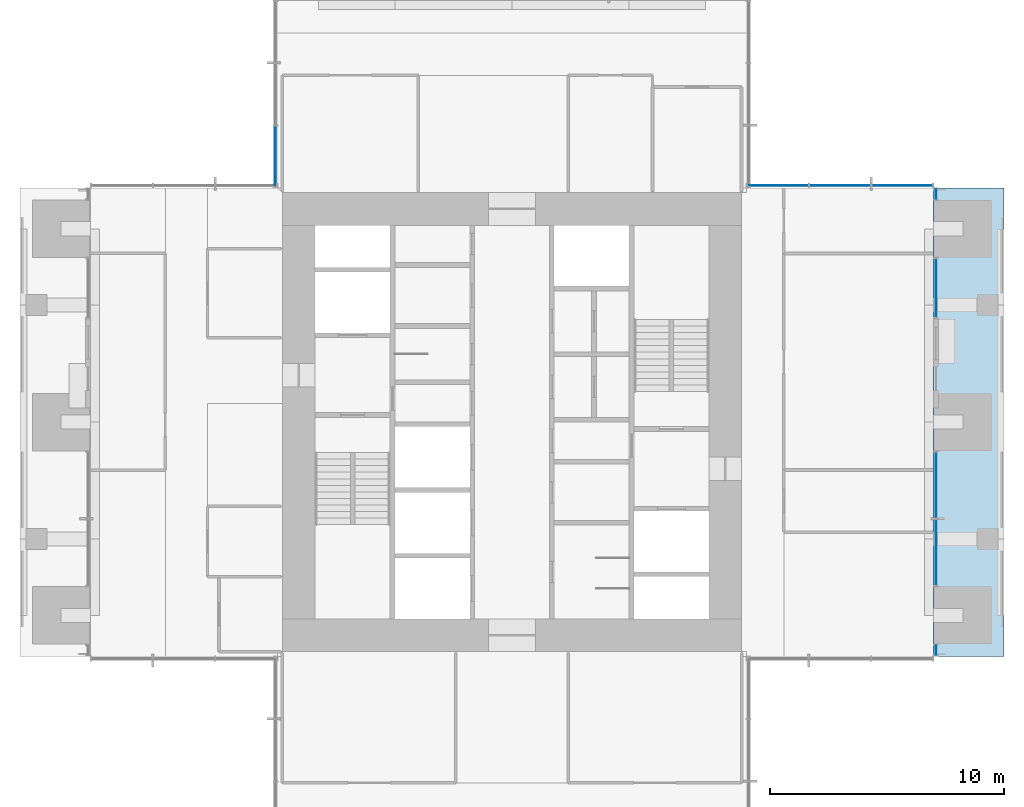
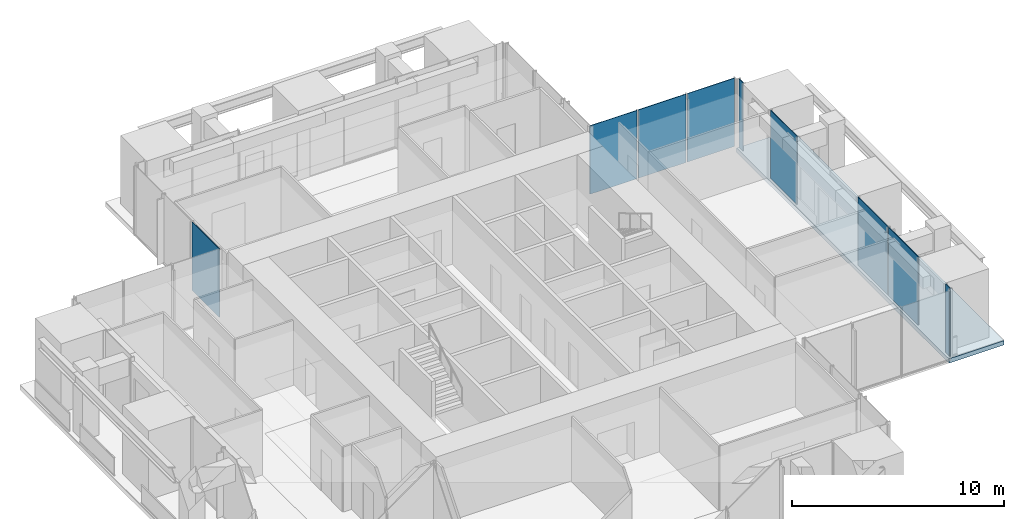
# One storey, part 10 of 17: 9 plates, 1 slab, 6 elements without a shape of their own.
"""IFC4 building model written with IfcOpenShell, lengths in metres."""

from ifc_helpers import new_model, si_unit, direction, frame, origin, origin_2d, place, context, subcontext, project, spatial, polyline, rectangle, outline, extrude, material, layer, layer_set, type_object, element, aggregate, save


model = new_model("IFC4")

# Units and contexts
model_context = context("Model", 3, precision=1e-05, world=origin(), true_north=direction((0.0, 1.0)))
body_context = subcontext(model_context, "Body", "Model", "MODEL_VIEW")
ifc_project = project(units=[si_unit("LENGTHUNIT", "METRE"), si_unit("AREAUNIT", "SQUARE_METRE"), si_unit("VOLUMEUNIT", "CUBIC_METRE"), si_unit("PLANEANGLEUNIT", "RADIAN"), si_unit("MASSUNIT", "GRAM", prefix="KILO")], contexts=[model_context])

# Site, building, storey
site_placement = place(None, origin())
site = spatial("IfcSite", under=ifc_project, at=site_placement, CompositionType="ELEMENT")
building_placement = place(site_placement, origin())
building = spatial("IfcBuilding", under=site, at=building_placement, Name="Svetlomir Tower", CompositionType="ELEMENT")
storey_placement = place(building_placement, frame((0.0, 0.0, 214.5)))
storey = spatial("IfcBuildingStorey", under=building, at=storey_placement, Name="L51", CompositionType="ELEMENT", Elevation=214.5)

# Curtain wall, plate
ifc_material_1 = material(Name="Bronze anodised aluminium curtain wall", Category="aluminium")
curtain_wall_type = type_object("IfcCurtainWallType", Name="CURTAIN WALL CW1 TOWER OFFICE", PredefinedType="NOTDEFINED", material=ifc_material_1)
curtain_wall_1_placement = place(storey_placement, origin())
curtain_wall_1 = element("IfcCurtainWall", 1, at=curtain_wall_1_placement, inside=storey, type_object=curtain_wall_type, Name="Curtain wall CW1 L51", PredefinedType="NOTDEFINED")
ifc_material_2 = material(Name="Tinted double glazed unit", Category="glass")
ifc_layer_1 = layer(ifc_material_2, 0.031982421875)
ifc_layer_set_1 = layer_set([ifc_layer_1], Name="Tinted double glazed unit")
plate_type = type_object("IfcPlateType", Name="CW1 GLAZED PANEL 32", PredefinedType="CURTAIN_PANEL", material=ifc_layer_set_1)
plate_1_placement = place(storey_placement, frame((39.10009765625, 11.262451171875, 0.06494140625), z_axis=(0.0, 0.0, 1.0), x_axis=(0.0, 1.0, 0.0)))
plate_1 = element("IfcPlate", 2, at=plate_1_placement, type_object=plate_type, Name="CW1 panel 1.1", PredefinedType="CURTAIN_PANEL", context=body_context, shape_type="SweptSolid", body=[
    extrude(rectangle(XDim=0.39501953125, YDim=0.031982421875, at=origin_2d()), origin(), (0.0, 0.0, 1.0), 3.93505859375),
])
aggregate(curtain_wall_1, [plate_1])

# Curtain wall, plates
curtain_wall_2_placement = place(storey_placement, origin())
curtain_wall_2 = element("IfcCurtainWall", 3, at=curtain_wall_2_placement, inside=storey, type_object=curtain_wall_type, Name="Curtain wall CW1 L51", PredefinedType="NOTDEFINED")
plate_2_placement = place(storey_placement, frame((39.10009765625, 15.441162109375, 0.06494140625), z_axis=(0.0, 0.0, 1.0), x_axis=(0.0, 1.0, 0.0)))
plate_2 = element("IfcPlate", 4, at=plate_2_placement, type_object=plate_type, Name="CW1 panel 1.1", PredefinedType="CURTAIN_PANEL", context=body_context, shape_type="SweptSolid", body=[
    extrude(rectangle(XDim=2.802490234375, YDim=0.031982421875, at=origin_2d()), origin(), (0.0, 0.0, 1.0), 3.93505859375),
])
plate_3_placement = place(storey_placement, frame((39.10009765625, 18.308837890625, 0.06494140625), z_axis=(0.0, 0.0, 1.0), x_axis=(0.0, 1.0, 0.0)))
plate_3 = element("IfcPlate", 5, at=plate_3_placement, type_object=plate_type, Name="CW1 panel 2.1", PredefinedType="CURTAIN_PANEL", context=body_context, shape_type="SweptSolid", body=[
    extrude(rectangle(XDim=2.802490234375, YDim=0.031982421875, at=origin_2d()), origin(), (0.0, 0.0, 1.0), 3.93505859375),
])
aggregate(curtain_wall_2, [plate_2, plate_3])

# Curtain wall, plate
curtain_wall_3_placement = place(storey_placement, origin())
curtain_wall_3 = element("IfcCurtainWall", 6, at=curtain_wall_3_placement, inside=storey, type_object=curtain_wall_type, Name="Curtain wall CW1 L51", PredefinedType="NOTDEFINED")
plate_4_placement = place(storey_placement, frame((39.10009765625, 26.71240234375, 0.06494140625), z_axis=(0.0, 0.0, 1.0), x_axis=(0.0, 1.0, 0.0)))
plate_4 = element("IfcPlate", 7, at=plate_4_placement, type_object=plate_type, Name="CW1 panel 1.1", PredefinedType="CURTAIN_PANEL", context=body_context, shape_type="SweptSolid", body=[
    extrude(rectangle(XDim=2.4951171875, YDim=0.031982421875, at=origin_2d()), origin(), (0.0, 0.0, 1.0), 3.93505859375),
])
aggregate(curtain_wall_3, [plate_4])

curtain_wall_4_placement = place(storey_placement, origin())
curtain_wall_4 = element("IfcCurtainWall", 8, at=curtain_wall_4_placement, inside=storey, type_object=curtain_wall_type, Name="Curtain wall CW1 L51", PredefinedType="NOTDEFINED")
plate_5_placement = place(storey_placement, frame((39.10009765625, 30.737548828125, 0.06494140625), z_axis=(0.0, 0.0, 1.0), x_axis=(0.0, 1.0, 0.0)))
plate_5 = element("IfcPlate", 9, at=plate_5_placement, type_object=plate_type, Name="CW1 panel 1.1", PredefinedType="CURTAIN_PANEL", context=body_context, shape_type="SweptSolid", body=[
    extrude(rectangle(XDim=0.39501953125, YDim=0.031982421875, at=origin_2d()), origin(), (0.0, 0.0, 1.0), 3.93505859375),
])
aggregate(curtain_wall_4, [plate_5])

# Curtain wall, plates
curtain_wall_5_placement = place(storey_placement, origin())
curtain_wall_5 = element("IfcCurtainWall", 10, at=curtain_wall_5_placement, inside=storey, type_object=curtain_wall_type, Name="Curtain wall CW1 L51", PredefinedType="NOTDEFINED")
plate_6_placement = place(storey_placement, frame((37.650390625, 31.10009765625, 0.06494140625), z_axis=(0.0, 0.0, 1.0), x_axis=(-1.0, 0.0, 0.0)))
plate_6 = element("IfcPlate", 11, at=plate_6_placement, type_object=plate_type, Name="CW1 panel 1.1", PredefinedType="CURTAIN_PANEL", context=body_context, shape_type="SweptSolid", body=[
    extrude(rectangle(XDim=2.569091796875, YDim=0.031982421875, at=origin_2d()), origin(), (0.0, 0.0, 1.0), 3.93505859375),
])
plate_7_placement = place(storey_placement, frame((35.0, 31.10009765625, 0.06494140625), z_axis=(0.0, 0.0, 1.0), x_axis=(-1.0, 0.0, 0.0)))
plate_7 = element("IfcPlate", 12, at=plate_7_placement, type_object=plate_type, Name="CW1 panel 2.1", PredefinedType="CURTAIN_PANEL", context=body_context, shape_type="SweptSolid", body=[
    extrude(rectangle(XDim=2.6015625, YDim=0.031982421875, at=origin_2d()), origin(), (0.0, 0.0, 1.0), 3.93505859375),
])
plate_8_placement = place(storey_placement, frame((32.349609375, 31.10009765625, 0.06494140625), z_axis=(0.0, 0.0, 1.0), x_axis=(-1.0, 0.0, 0.0)))
plate_8 = element("IfcPlate", 13, at=plate_8_placement, type_object=plate_type, Name="CW1 panel 3.1", PredefinedType="CURTAIN_PANEL", context=body_context, shape_type="SweptSolid", body=[
    extrude(rectangle(XDim=2.569091796875, YDim=0.031982421875, at=origin_2d()), origin(), (0.0, 0.0, 1.0), 3.93505859375),
])
aggregate(curtain_wall_5, [plate_6, plate_7, plate_8])

# Curtain wall, plate
curtain_wall_6_placement = place(storey_placement, origin())
curtain_wall_6 = element("IfcCurtainWall", 14, at=curtain_wall_6_placement, inside=storey, type_object=curtain_wall_type, Name="Curtain wall CW1 L51", PredefinedType="NOTDEFINED")
plate_9_placement = place(storey_placement, frame((10.89990234375, 32.349609375, 0.06494140625), z_axis=(0.0, 0.0, 1.0), x_axis=(0.0, -1.0, 0.0)))
plate_9 = element("IfcPlate", 15, at=plate_9_placement, type_object=plate_type, Name="CW1 panel 3.1", PredefinedType="CURTAIN_PANEL", context=body_context, shape_type="SweptSolid", body=[
    extrude(rectangle(XDim=2.569091796875, YDim=0.031982421875, at=origin_2d()), origin(), (0.0, 0.0, 1.0), 3.93505859375),
])
aggregate(curtain_wall_6, [plate_9])

# Slab
ifc_material_3 = material(Name="Concrete C60/75", Category="concrete")
ifc_layer_2 = layer(ifc_material_3, 0.25)
ifc_layer_set_2 = layer_set([ifc_layer_2], Name="Concrete C60/75")
slab_type = type_object("IfcSlabType", Name="PLANTED LOGGIA SLAB 250", PredefinedType="FLOOR", material=ifc_layer_set_2)
slab_placement = place(storey_placement, frame((0.0, 0.0, -0.25)))
element("IfcSlab", 16, at=slab_placement, inside=storey, type_object=slab_type, Name="L51 E planted loggia", PredefinedType="FLOOR", context=body_context, shape_type="SweptSolid", body=[
    extrude(outline(polyline([(39.0, 11.0), (42.0, 11.0), (42.0, 31.0), (39.0, 31.0), (39.0, 11.0)])), origin(), (0.0, 0.0, 1.0), 0.25),
])

save(model, "model.ifc")
